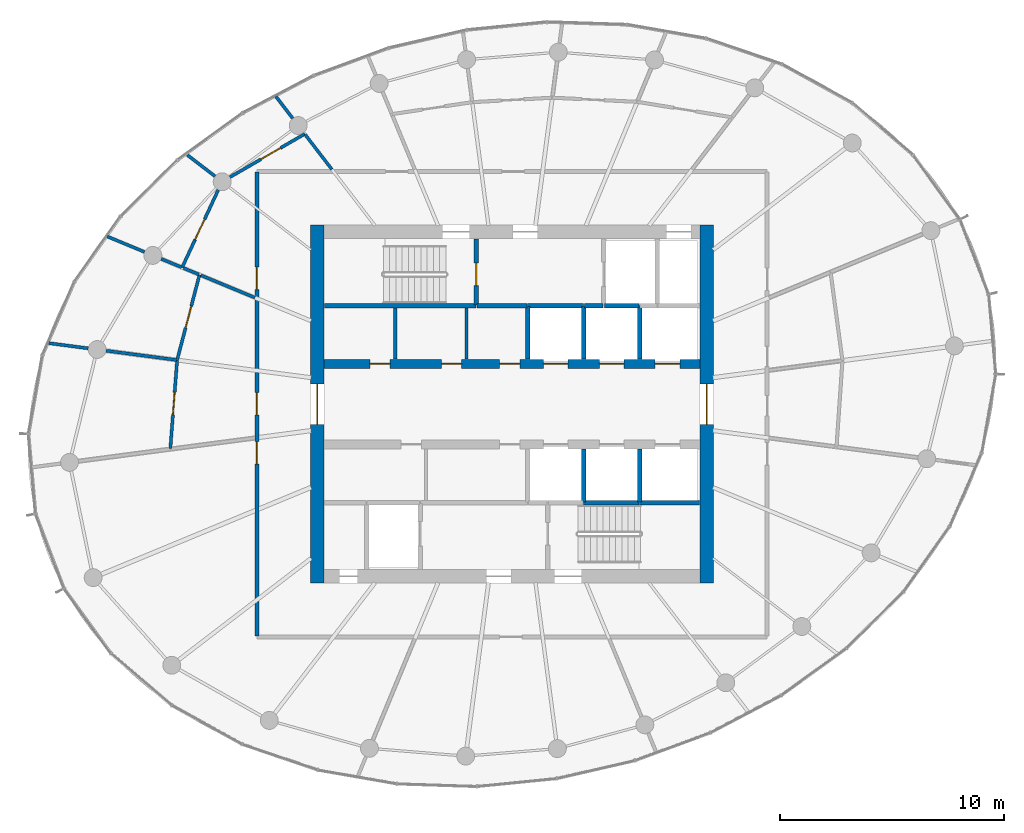
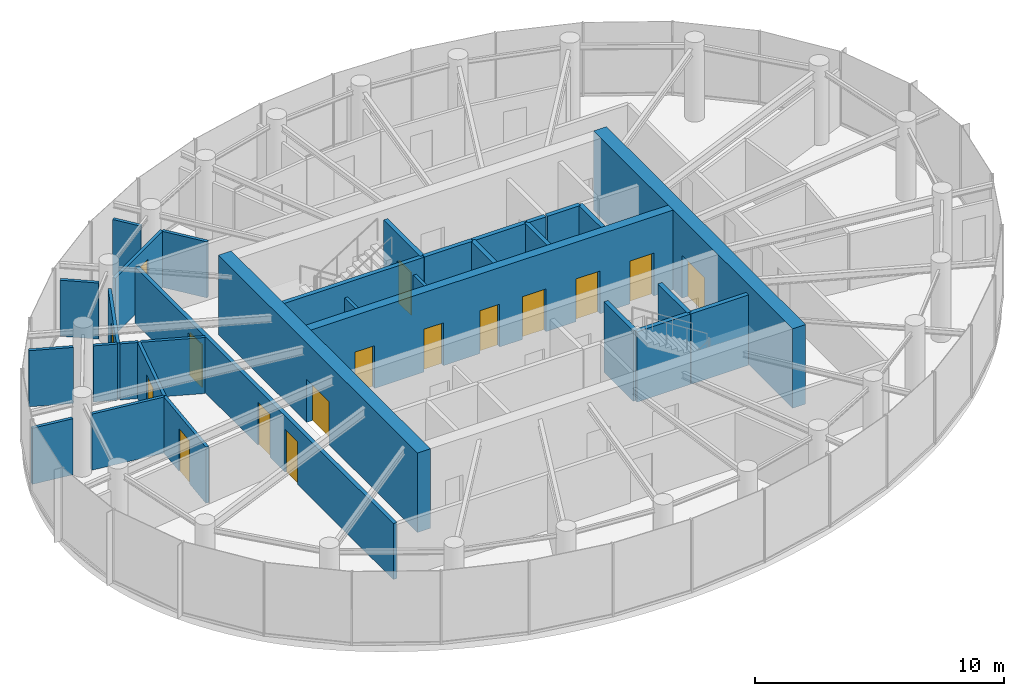
# One storey, part 9 of 13: 32 walls, 16 doors, 16 openings.
"""IFC4 building model written with IfcOpenShell, lengths in metres."""

from ifc_helpers import new_model, si_unit, direction, frame, frame_2d, origin, place, context, subcontext, project, spatial, rectangle, extrude, source, transform, mapped, material, layer, layer_set, type_object, element, fill, save


model = new_model("IFC4")

# Units and contexts
model_context = context("Model", 3, precision=1e-05, world=origin(), true_north=direction((0.0, 1.0)))
body_context = subcontext(model_context, "Body", "Model", "MODEL_VIEW")
ifc_project = project(units=[si_unit("LENGTHUNIT", "METRE"), si_unit("AREAUNIT", "SQUARE_METRE"), si_unit("VOLUMEUNIT", "CUBIC_METRE"), si_unit("PLANEANGLEUNIT", "RADIAN"), si_unit("MASSUNIT", "GRAM", prefix="KILO")], contexts=[model_context])

# Site, building, storey
site_placement = place(None, origin())
site = spatial("IfcSite", under=ifc_project, at=site_placement, CompositionType="ELEMENT")
building_placement = place(site_placement, origin())
building = spatial("IfcBuilding", under=site, at=building_placement, Name="Spindrift Exchange Tower", CompositionType="ELEMENT")
storey_placement = place(building_placement, frame((0.0, 0.0, 261.800048828125)))
storey = spatial("IfcBuildingStorey", under=building, at=storey_placement, Name="L64", CompositionType="ELEMENT", Elevation=261.800048828125)

# Wall, opening, door
ifc_material_1 = material(Name="Concrete 50 MPa", Category="concrete")
ifc_layer_1 = layer(ifc_material_1, 0.60009765625)
ifc_layer_set_1 = layer_set([ifc_layer_1], Name="RC Core Wall 600 Concrete 50 MPa")
wall_type_1 = type_object("IfcWallType", Name="RC Core Wall 600 Concrete 50 MPa", PredefinedType="SHEAR", material=ifc_layer_set_1)
wall_1_placement = place(storey_placement, frame((60.699951171875, 40.0, 0.0), z_axis=(0.0, 0.0, 1.0), x_axis=(0.0, 1.0, 0.0)))
wall_1 = element("IfcWall", 1, at=wall_1_placement, inside=storey, type_object=wall_type_1, Name="Core wall E L64", PredefinedType="SHEAR", context=body_context, shape_type="SweptSolid", body=[
    extrude(rectangle(XDim=16.0, YDim=0.60009765625, at=frame_2d((8.0, 0.0))), origin(), (0.0, 0.0, 1.0), 3.89990234375),
])
opening_1_placement = place(wall_1_placement, frame((7.10009765625, 0.0, 0.0)))
opening_1 = element("IfcOpeningElement", 2, at=opening_1_placement, cuts=wall_1, Name="Opening L64-D2", PredefinedType="OPENING", context=body_context, shape_type="SweptSolid", body=[
    extrude(rectangle(XDim=1.800048828125, YDim=2.10009765625, at=frame_2d((0.89990234375, 1.050048828125))), frame((0.0, 0.31005859375, 0.0), z_axis=(0.0, -1.0, 0.0), x_axis=(1.0, 0.0, 0.0)), (0.0, 0.0, 1.0), 0.6201171875),
])
ifc_material_2 = material(Name="Timber-core fire door", Category="wood")
door_type_1 = type_object("IfcDoorType", Name="DR-LOBBY-1800", OperationType="NOTDEFINED", PredefinedType="DOOR", material=ifc_material_2)
shared_shape_1 = source(origin(), body_context, "Body", "SweptSolid", [
    extrude(rectangle(XDim=1.800048828125, YDim=2.10009765625, at=frame_2d((0.89990234375, 1.050048828125))), frame((0.0, 0.02490234375, 0.0), z_axis=(0.0, -1.0, 0.0), x_axis=(1.0, 0.0, 0.0)), (0.0, 0.0, 1.0), 0.050048828125),
])
door_1_placement = place(opening_1_placement, origin())
door_1 = element("IfcDoor", 3, at=door_1_placement, inside=storey, type_object=door_type_1, Name="L64 Lobby door 2", OperationType="SINGLE_SWING_RIGHT", OverallHeight=2.10009765625, OverallWidth=1.800048828125, PredefinedType="DOOR", context=body_context, shape_type="MappedRepresentation", body=[
    mapped(shared_shape_1, transform((0.0, 0.0, 0.0), scale=1.0)),
])
fill(opening_1, door_1)

wall_2_placement = place(storey_placement, frame((43.300048828125, 56.0, 0.0), z_axis=(0.0, 0.0, 1.0), x_axis=(0.0, -1.0, 0.0)))
wall_2 = element("IfcWall", 4, at=wall_2_placement, inside=storey, type_object=wall_type_1, Name="Core wall W L64", PredefinedType="SHEAR", context=body_context, shape_type="SweptSolid", body=[
    extrude(rectangle(XDim=16.0, YDim=0.60009765625, at=frame_2d((8.0, 0.0))), origin(), (0.0, 0.0, 1.0), 3.89990234375),
])
opening_2_placement = place(wall_2_placement, frame((7.10009765625, 0.0, 0.0)))
opening_2 = element("IfcOpeningElement", 5, at=opening_2_placement, cuts=wall_2, Name="Opening L64-D1", PredefinedType="OPENING", context=body_context, shape_type="SweptSolid", body=[
    extrude(rectangle(XDim=1.800048828125, YDim=2.10009765625, at=frame_2d((0.89990234375, 1.050048828125))), frame((0.0, 0.31005859375, 0.0), z_axis=(0.0, -1.0, 0.0), x_axis=(1.0, 0.0, 0.0)), (0.0, 0.0, 1.0), 0.6201171875),
])
door_2_placement = place(opening_2_placement, origin())
door_2 = element("IfcDoor", 6, at=door_2_placement, inside=storey, type_object=door_type_1, Name="L64 Lobby door 1", OperationType="SINGLE_SWING_LEFT", OverallHeight=2.10009765625, OverallWidth=1.800048828125, PredefinedType="DOOR", context=body_context, shape_type="MappedRepresentation", body=[
    mapped(shared_shape_1, transform((0.0, 0.0, 0.0), scale=1.0)),
])
fill(opening_2, door_2)

# Wall, openings, doors
ifc_layer_2 = layer(ifc_material_1, 0.39990234375)
ifc_layer_set_2 = layer_set([ifc_layer_2], Name="RC Spine Wall 400 Concrete 50 MPa")
wall_type_2 = type_object("IfcWallType", Name="RC Spine Wall 400 Concrete 50 MPa", PredefinedType="SHEAR", material=ifc_layer_set_2)
wall_3_placement = place(storey_placement, frame((43.60009765625, 49.800048828125, 0.0), z_axis=(0.0, 0.0, 1.0), x_axis=(1.0, 0.0, 0.0)))
wall_3 = element("IfcWall", 7, at=wall_3_placement, inside=storey, type_object=wall_type_2, Name="Core spine wall N L64", PredefinedType="SHEAR", context=body_context, shape_type="SweptSolid", body=[
    extrude(rectangle(XDim=16.7998046875, YDim=0.39990234375, at=frame_2d((8.39990234375, 0.0))), origin(), (0.0, 0.0, 1.0), 3.89990234375),
])
opening_3_placement = place(wall_3_placement, frame((9.800048828125, 0.0, 0.0)))
opening_3 = element("IfcOpeningElement", 8, at=opening_3_placement, cuts=wall_3, Name="Opening L64-D3", PredefinedType="OPENING", context=body_context, shape_type="SweptSolid", body=[
    extrude(rectangle(XDim=1.10009765625, YDim=2.10009765625, at=frame_2d((0.550048828125, 1.050048828125))), frame((0.0, 0.2099609375, 0.0), z_axis=(0.0, -1.0, 0.0), x_axis=(1.0, 0.0, 0.0)), (0.0, 0.0, 1.0), 0.419921875),
])
opening_4_placement = place(wall_3_placement, frame((12.300048828125, 0.0, 0.0)))
opening_4 = element("IfcOpeningElement", 9, at=opening_4_placement, cuts=wall_3, Name="Opening L64-D4", PredefinedType="OPENING", context=body_context, shape_type="SweptSolid", body=[
    extrude(rectangle(XDim=1.10009765625, YDim=2.10009765625, at=frame_2d((0.550048828125, 1.050048828125))), frame((0.0, 0.2099609375, 0.0), z_axis=(0.0, -1.0, 0.0), x_axis=(1.0, 0.0, 0.0)), (0.0, 0.0, 1.0), 0.419921875),
])
opening_5_placement = place(wall_3_placement, frame((14.800048828125, 0.0, 0.0)))
opening_5 = element("IfcOpeningElement", 10, at=opening_5_placement, cuts=wall_3, Name="Opening L64-D5", PredefinedType="OPENING", context=body_context, shape_type="SweptSolid", body=[
    extrude(rectangle(XDim=1.10009765625, YDim=2.10009765625, at=frame_2d((0.550048828125, 1.050048828125))), frame((0.0, 0.2099609375, 0.0), z_axis=(0.0, -1.0, 0.0), x_axis=(1.0, 0.0, 0.0)), (0.0, 0.0, 1.0), 0.419921875),
])
opening_6_placement = place(wall_3_placement, frame((2.050048828125, 0.0, 0.0)))
opening_6 = element("IfcOpeningElement", 11, at=opening_6_placement, cuts=wall_3, Name="Opening L64-D38", PredefinedType="OPENING", context=body_context, shape_type="SweptSolid", body=[
    extrude(rectangle(XDim=0.89990234375, YDim=2.10009765625, at=frame_2d((0.449951171875, 1.050048828125))), frame((0.0, 0.2099609375, 0.0), z_axis=(0.0, -1.0, 0.0), x_axis=(1.0, 0.0, 0.0)), (0.0, 0.0, 1.0), 0.419921875),
])
opening_7_placement = place(wall_3_placement, frame((5.25, 0.0, 0.0)))
opening_7 = element("IfcOpeningElement", 12, at=opening_7_placement, cuts=wall_3, Name="Opening L64-D39", PredefinedType="OPENING", context=body_context, shape_type="SweptSolid", body=[
    extrude(rectangle(XDim=0.89990234375, YDim=2.10009765625, at=frame_2d((0.449951171875, 1.050048828125))), frame((0.0, 0.2099609375, 0.0), z_axis=(0.0, -1.0, 0.0), x_axis=(1.0, 0.0, 0.0)), (0.0, 0.0, 1.0), 0.419921875),
])
opening_8_placement = place(wall_3_placement, frame((7.85009765625, 0.0, 0.0)))
opening_8 = element("IfcOpeningElement", 13, at=opening_8_placement, cuts=wall_3, Name="Opening L64-D40", PredefinedType="OPENING", context=body_context, shape_type="SweptSolid", body=[
    extrude(rectangle(XDim=0.89990234375, YDim=2.10009765625, at=frame_2d((0.449951171875, 1.050048828125))), frame((0.0, 0.2099609375, 0.0), z_axis=(0.0, -1.0, 0.0), x_axis=(1.0, 0.0, 0.0)), (0.0, 0.0, 1.0), 0.419921875),
])
ifc_material_3 = material(Name="Stainless steel landing door", Category="steel")
door_type_2 = type_object("IfcDoorType", Name="DR-LANDING-1100-SL", OperationType="DOUBLE_DOOR_SLIDING", PredefinedType="USERDEFINED", material=ifc_material_3)
shared_shape_2 = source(origin(), body_context, "Body", "SweptSolid", [
    extrude(rectangle(XDim=1.10009765625, YDim=2.10009765625, at=frame_2d((0.550048828125, 1.050048828125))), frame((0.0, 0.02490234375, 0.0), z_axis=(0.0, -1.0, 0.0), x_axis=(1.0, 0.0, 0.0)), (0.0, 0.0, 1.0), 0.050048828125),
])
door_3_placement = place(opening_3_placement, origin())
door_3 = element("IfcDoor", 14, at=door_3_placement, inside=storey, type_object=door_type_2, Name="L64 Lift landing door 3", ObjectType="LANDING DOOR", OperationType="DOUBLE_DOOR_SLIDING", OverallHeight=2.10009765625, OverallWidth=1.10009765625, PredefinedType="USERDEFINED", context=body_context, shape_type="MappedRepresentation", body=[
    mapped(shared_shape_2, transform((0.0, 0.0, 0.0), scale=1.0)),
])
fill(opening_3, door_3)
door_4_placement = place(opening_4_placement, origin())
door_4 = element("IfcDoor", 15, at=door_4_placement, inside=storey, type_object=door_type_2, Name="L64 Lift landing door 4", ObjectType="LANDING DOOR", OperationType="DOUBLE_DOOR_SLIDING", OverallHeight=2.10009765625, OverallWidth=1.10009765625, PredefinedType="USERDEFINED", context=body_context, shape_type="MappedRepresentation", body=[
    mapped(shared_shape_2, transform((0.0, 0.0, 0.0), scale=1.0)),
])
fill(opening_4, door_4)
door_5_placement = place(opening_5_placement, origin())
door_5 = element("IfcDoor", 16, at=door_5_placement, inside=storey, type_object=door_type_2, Name="L64 Lift landing door 5", ObjectType="LANDING DOOR", OperationType="DOUBLE_DOOR_SLIDING", OverallHeight=2.10009765625, OverallWidth=1.10009765625, PredefinedType="USERDEFINED", context=body_context, shape_type="MappedRepresentation", body=[
    mapped(shared_shape_2, transform((0.0, 0.0, 0.0), scale=1.0)),
])
fill(opening_5, door_5)
ifc_material_4 = material(Name="Steel access door", Category="steel")
door_type_3 = type_object("IfcDoorType", Name="DR-RISER-900", OperationType="NOTDEFINED", PredefinedType="DOOR", material=ifc_material_4)
shared_shape_3 = source(origin(), body_context, "Body", "SweptSolid", [
    extrude(rectangle(XDim=0.89990234375, YDim=2.10009765625, at=frame_2d((0.449951171875, 1.050048828125))), frame((0.0, 0.02490234375, 0.0), z_axis=(0.0, -1.0, 0.0), x_axis=(1.0, 0.0, 0.0)), (0.0, 0.0, 1.0), 0.050048828125),
])
door_6_placement = place(opening_6_placement, origin())
door_6 = element("IfcDoor", 17, at=door_6_placement, inside=storey, type_object=door_type_3, Name="L64 Riser door 38", OperationType="SINGLE_SWING_LEFT", OverallHeight=2.10009765625, OverallWidth=0.89990234375, PredefinedType="DOOR", context=body_context, shape_type="MappedRepresentation", body=[
    mapped(shared_shape_3, transform((0.0, 0.0, 0.0), scale=1.0)),
])
fill(opening_6, door_6)
door_7_placement = place(opening_7_placement, origin())
door_7 = element("IfcDoor", 18, at=door_7_placement, inside=storey, type_object=door_type_3, Name="L64 Riser door 39", OperationType="SINGLE_SWING_RIGHT", OverallHeight=2.10009765625, OverallWidth=0.89990234375, PredefinedType="DOOR", context=body_context, shape_type="MappedRepresentation", body=[
    mapped(shared_shape_3, transform((0.0, 0.0, 0.0), scale=1.0)),
])
fill(opening_7, door_7)
door_8_placement = place(opening_8_placement, origin())
door_8 = element("IfcDoor", 19, at=door_8_placement, inside=storey, type_object=door_type_3, Name="L64 Riser door 40", OperationType="SINGLE_SWING_LEFT", OverallHeight=2.10009765625, OverallWidth=0.89990234375, PredefinedType="DOOR", context=body_context, shape_type="MappedRepresentation", body=[
    mapped(shared_shape_3, transform((0.0, 0.0, 0.0), scale=1.0)),
])
fill(opening_8, door_8)

ifc_material_5 = material(Name="Fire-rated plasterboard partition", Category="gypsum")
ifc_layer_3 = layer(ifc_material_5, 0.179931640625)
ifc_layer_set_3 = layer_set([ifc_layer_3], Name="W-CORR-180")
wall_type_3 = type_object("IfcWallType", Name="W-CORR-180", PredefinedType="PARTITIONING", material=ifc_layer_set_3)
wall_4_placement = place(storey_placement, frame((40.60009765625, 37.6298828125, 0.0), z_axis=(0.0, 0.0, 1.0), x_axis=(0.0, 1.0, 0.0)))
wall_4 = element("IfcWall", 20, at=wall_4_placement, inside=storey, type_object=wall_type_3, Name="L64 Partition wall 30", PredefinedType="PARTITIONING", context=body_context, shape_type="SweptSolid", body=[
    extrude(rectangle(XDim=20.740234375, YDim=0.179931640625, at=frame_2d((10.3701171875, 0.0))), origin(), (0.0, 0.0, 1.0), 2.75),
])
opening_9_placement = place(wall_4_placement, frame((15.489990234375, 0.0, 0.0)))
opening_9 = element("IfcOpeningElement", 21, at=opening_9_placement, cuts=wall_4, Name="Opening L64-D29", PredefinedType="OPENING", context=body_context, shape_type="SweptSolid", body=[
    extrude(rectangle(XDim=1.0, YDim=2.10009765625, at=frame_2d((0.5, 1.050048828125))), frame((0.0, 0.099853515625, 0.0), z_axis=(0.0, -1.0, 0.0), x_axis=(1.0, 0.0, 0.0)), (0.0, 0.0, 1.0), 0.199951171875),
])
opening_10_placement = place(wall_4_placement, frame((9.889892578125, 0.0, 0.0)))
opening_10 = element("IfcOpeningElement", 22, at=opening_10_placement, cuts=wall_4, Name="Opening L64-D32", PredefinedType="OPENING", context=body_context, shape_type="SweptSolid", body=[
    extrude(rectangle(XDim=1.0, YDim=2.10009765625, at=frame_2d((0.5, 1.050048828125))), frame((0.0, 0.099853515625, 0.0), z_axis=(0.0, -1.0, 0.0), x_axis=(1.0, 0.0, 0.0)), (0.0, 0.0, 1.0), 0.199951171875),
])
opening_11_placement = place(wall_4_placement, frame((7.68994140625, 0.0, 0.0)))
opening_11 = element("IfcOpeningElement", 23, at=opening_11_placement, cuts=wall_4, Name="Opening L64-D35", PredefinedType="OPENING", context=body_context, shape_type="SweptSolid", body=[
    extrude(rectangle(XDim=1.0, YDim=2.10009765625, at=frame_2d((0.5, 1.050048828125))), frame((0.0, 0.099853515625, 0.0), z_axis=(0.0, -1.0, 0.0), x_axis=(1.0, 0.0, 0.0)), (0.0, 0.0, 1.0), 0.199951171875),
])
door_type_4 = type_object("IfcDoorType", Name="DR-ROOM-1000", OperationType="NOTDEFINED", PredefinedType="DOOR", material=ifc_material_2)
shared_shape_4 = source(origin(), body_context, "Body", "SweptSolid", [
    extrude(rectangle(XDim=1.0, YDim=2.10009765625, at=frame_2d((0.5, 1.050048828125))), frame((0.0, 0.02490234375, 0.0), z_axis=(0.0, -1.0, 0.0), x_axis=(1.0, 0.0, 0.0)), (0.0, 0.0, 1.0), 0.050048828125),
])
door_9_placement = place(opening_9_placement, origin())
door_9 = element("IfcDoor", 24, at=door_9_placement, inside=storey, type_object=door_type_4, Name="L64 Door 29", OperationType="SINGLE_SWING_RIGHT", OverallHeight=2.10009765625, OverallWidth=1.0, PredefinedType="DOOR", context=body_context, shape_type="MappedRepresentation", body=[
    mapped(shared_shape_4, transform((0.0, 0.0, 0.0), scale=1.0)),
])
fill(opening_9, door_9)
door_10_placement = place(opening_10_placement, origin())
door_10 = element("IfcDoor", 25, at=door_10_placement, inside=storey, type_object=door_type_4, Name="L64 Door 32", OperationType="SINGLE_SWING_LEFT", OverallHeight=2.10009765625, OverallWidth=1.0, PredefinedType="DOOR", context=body_context, shape_type="MappedRepresentation", body=[
    mapped(shared_shape_4, transform((0.0, 0.0, 0.0), scale=1.0)),
])
fill(opening_10, door_10)
door_11_placement = place(opening_11_placement, origin())
door_11 = element("IfcDoor", 26, at=door_11_placement, inside=storey, type_object=door_type_4, Name="L64 Door 35", OperationType="SINGLE_SWING_RIGHT", OverallHeight=2.10009765625, OverallWidth=1.0, PredefinedType="DOOR", context=body_context, shape_type="MappedRepresentation", body=[
    mapped(shared_shape_4, transform((0.0, 0.0, 0.0), scale=1.0)),
])
fill(opening_11, door_11)

# Wall, opening, door
ifc_layer_4 = layer(ifc_material_5, 0.139892578125)
ifc_layer_set_4 = layer_set([ifc_layer_4], Name="W-PART-140")
wall_type_4 = type_object("IfcWallType", Name="W-PART-140", PredefinedType="PARTITIONING", material=ifc_layer_set_4)
wall_5_placement = place(storey_placement, frame((36.73095703125, 46.019287109375, 0.0), z_axis=(0.0, 0.0, 1.0), x_axis=(0.07621122266, 0.997091695653, 0.0)))
wall_5 = element("IfcWall", 27, at=wall_5_placement, inside=storey, type_object=wall_type_4, Name="L64 Partition wall 35", PredefinedType="PARTITIONING", context=body_context, shape_type="SweptSolid", body=[
    extrude(rectangle(XDim=3.962646484375, YDim=0.139892578125, at=frame_2d((1.9814453125, 0.0))), origin(), (0.0, 0.0, 1.0), 2.75),
])
opening_12_placement = place(wall_5_placement, frame((1.5126953125, 0.0, 0.0)))
opening_12 = element("IfcOpeningElement", 28, at=opening_12_placement, cuts=wall_5, Name="Opening L64-D34", PredefinedType="OPENING", context=body_context, shape_type="SweptSolid", body=[
    extrude(rectangle(XDim=1.0, YDim=2.10009765625, at=frame_2d((0.5, 1.050048828125))), frame((0.0, 0.079833984375, 0.0), z_axis=(0.0, -1.0, 0.0), x_axis=(1.0, 0.0, 0.0)), (0.0, 0.0, 1.0), 0.159912109375),
])
door_12_placement = place(opening_12_placement, origin())
door_12 = element("IfcDoor", 29, at=door_12_placement, inside=storey, type_object=door_type_4, Name="L64 Door 34", OperationType="SINGLE_SWING_LEFT", OverallHeight=2.10009765625, OverallWidth=1.0, PredefinedType="DOOR", context=body_context, shape_type="MappedRepresentation", body=[
    mapped(shared_shape_4, transform((0.0, 0.0, 0.0), scale=1.0)),
])
fill(opening_12, door_12)

wall_6_placement = place(storey_placement, frame((37.040771484375, 49.99951171875, 0.0), z_axis=(0.0, 0.0, 1.0), x_axis=(0.254158567997, 0.967162562506, 0.0)))
wall_6 = element("IfcWall", 30, at=wall_6_placement, inside=storey, type_object=wall_type_4, Name="L64 Partition wall 37", PredefinedType="PARTITIONING", context=body_context, shape_type="SweptSolid", body=[
    extrude(rectangle(XDim=3.913330078125, YDim=0.139892578125, at=frame_2d((1.95654296875, 0.0))), origin(), (0.0, 0.0, 1.0), 2.75),
])
opening_13_placement = place(wall_6_placement, frame((1.46337890625, 0.0, 0.0)))
opening_13 = element("IfcOpeningElement", 31, at=opening_13_placement, cuts=wall_6, Name="Opening L64-D33", PredefinedType="OPENING", context=body_context, shape_type="SweptSolid", body=[
    extrude(rectangle(XDim=1.0, YDim=2.10009765625, at=frame_2d((0.5, 1.050048828125))), frame((0.0, 0.079833984375, 0.0), z_axis=(0.0, -1.0, 0.0), x_axis=(1.0, 0.0, 0.0)), (0.0, 0.0, 1.0), 0.159912109375),
])
door_13_placement = place(opening_13_placement, origin())
door_13 = element("IfcDoor", 32, at=door_13_placement, inside=storey, type_object=door_type_4, Name="L64 Door 33", OperationType="SINGLE_SWING_RIGHT", OverallHeight=2.10009765625, OverallWidth=1.0, PredefinedType="DOOR", context=body_context, shape_type="MappedRepresentation", body=[
    mapped(shared_shape_4, transform((0.0, 0.0, 0.0), scale=1.0)),
])
fill(opening_13, door_13)

wall_7_placement = place(storey_placement, frame((39.395263671875, 58.14501953125, 0.0), z_axis=(0.0, 0.0, 1.0), x_axis=(0.865963153708, 0.500107804798, 0.0)))
wall_7 = element("IfcWall", 33, at=wall_7_placement, inside=storey, type_object=wall_type_4, Name="L64 Partition wall 40", PredefinedType="PARTITIONING", context=body_context, shape_type="SweptSolid", body=[
    extrude(rectangle(XDim=3.857177734375, YDim=0.139892578125, at=frame_2d((1.9287109375, 0.0))), origin(), (0.0, 0.0, 1.0), 2.75),
])
opening_14_placement = place(wall_7_placement, frame((1.607177734375, 0.0, 0.0)))
opening_14 = element("IfcOpeningElement", 34, at=opening_14_placement, cuts=wall_7, Name="Opening L64-D30", PredefinedType="OPENING", context=body_context, shape_type="SweptSolid", body=[
    extrude(rectangle(XDim=1.0, YDim=2.10009765625, at=frame_2d((0.5, 1.050048828125))), frame((0.0, 0.079833984375, 0.0), z_axis=(0.0, -1.0, 0.0), x_axis=(1.0, 0.0, 0.0)), (0.0, 0.0, 1.0), 0.159912109375),
])
door_14_placement = place(opening_14_placement, origin())
door_14 = element("IfcDoor", 35, at=door_14_placement, inside=storey, type_object=door_type_4, Name="L64 Door 30", OperationType="SINGLE_SWING_LEFT", OverallHeight=2.10009765625, OverallWidth=1.0, PredefinedType="DOOR", context=body_context, shape_type="MappedRepresentation", body=[
    mapped(shared_shape_4, transform((0.0, 0.0, 0.0), scale=1.0)),
])
fill(opening_14, door_14)

wall_8_placement = place(storey_placement, frame((37.255859375, 54.107177734375, 0.0), z_axis=(0.0, 0.0, 1.0), x_axis=(0.422487132978, 0.906368921835, 0.0)))
wall_8 = element("IfcWall", 36, at=wall_8_placement, inside=storey, type_object=wall_type_4, Name="L64 Partition wall 42", PredefinedType="PARTITIONING", context=body_context, shape_type="SweptSolid", body=[
    extrude(rectangle(XDim=3.825439453125, YDim=0.139892578125, at=frame_2d((1.91259765625, 0.0))), origin(), (0.0, 0.0, 1.0), 2.75),
])
opening_15_placement = place(wall_8_placement, frame((1.37548828125, 0.0, 0.0)))
opening_15 = element("IfcOpeningElement", 37, at=opening_15_placement, cuts=wall_8, Name="Opening L64-D31", PredefinedType="OPENING", context=body_context, shape_type="SweptSolid", body=[
    extrude(rectangle(XDim=1.0, YDim=2.10009765625, at=frame_2d((0.5, 1.050048828125))), frame((0.0, 0.079833984375, 0.0), z_axis=(0.0, -1.0, 0.0), x_axis=(1.0, 0.0, 0.0)), (0.0, 0.0, 1.0), 0.159912109375),
])
door_15_placement = place(opening_15_placement, origin())
door_15 = element("IfcDoor", 38, at=door_15_placement, inside=storey, type_object=door_type_4, Name="L64 Door 31", OperationType="SINGLE_SWING_RIGHT", OverallHeight=2.10009765625, OverallWidth=1.0, PredefinedType="DOOR", context=body_context, shape_type="MappedRepresentation", body=[
    mapped(shared_shape_4, transform((0.0, 0.0, 0.0), scale=1.0)),
])
fill(opening_15, door_15)

# Walls
wall_9_placement = place(storey_placement, frame((37.00341796875, 49.974365234375, 0.0), z_axis=(0.0, 0.0, 1.0), x_axis=(-0.991449837831, 0.130488386705, 0.0)))
element("IfcWall", 39, at=wall_9_placement, inside=storey, type_object=wall_type_4, Name="L64 Partition wall 47", PredefinedType="PARTITIONING", context=body_context, shape_type="SweptSolid", body=[
    extrude(rectangle(XDim=3.16943359375, YDim=0.139892578125, at=frame_2d((1.584716796875, 0.0))), origin(), (0.0, 0.0, 1.0), 2.75),
])
wall_10_placement = place(storey_placement, frame((40.510009765625, 52.75927734375, 0.0), z_axis=(0.0, 0.0, 1.0), x_axis=(-0.923875350489, 0.382693528503, 0.0)))
element("IfcWall", 40, at=wall_10_placement, inside=storey, type_object=wall_type_4, Name="L64 Partition wall 51", PredefinedType="PARTITIONING", context=body_context, shape_type="SweptSolid", body=[
    extrude(rectangle(XDim=2.60791015625, YDim=0.139892578125, at=frame_2d((1.303955078125, 0.0))), origin(), (0.0, 0.0, 1.0), 2.75),
])
for number, where, z_axis, x_axis, name in (
    (41, (46.784912109375, 50.010009765625, 0.0), (0.0, 0.0, 1.0), (0.0, 1.0, 0.0), "L64 Partition wall 53"),
    (42, (49.969970703125, 50.010009765625, 0.0), (0.0, 0.0, 1.0), (0.0, 1.0, 0.0), "L64 Partition wall 55"),
):
    element("IfcWall", number, at=place(storey_placement, frame(where, z_axis=z_axis, x_axis=x_axis)), inside=storey, type_object=wall_type_4, Name=name, PredefinedType="PARTITIONING", context=body_context, shape_type="SweptSolid", body=[
        extrude(rectangle(XDim=2.2900390625, YDim=0.139892578125, at=frame_2d((1.14501953125, 0.0))), origin(), (0.0, 0.0, 1.0), 2.75),
    ])
wall_11_placement = place(storey_placement, frame((43.95068359375, 58.489990234375, 0.0), z_axis=(0.0, 0.0, 1.0), x_axis=(-0.608744279495, 0.793366499281, 0.0)))
element("IfcWall", 43, at=wall_11_placement, inside=storey, type_object=wall_type_4, Name="L64 Partition wall 56", PredefinedType="PARTITIONING", context=body_context, shape_type="SweptSolid", body=[
    extrude(rectangle(XDim=1.96630859375, YDim=0.139892578125, at=frame_2d((0.983154296875, 0.0))), origin(), (0.0, 0.0, 1.0), 2.75),
])
wall_12_placement = place(storey_placement, frame((35.57421875, 54.8037109375, 0.0), z_axis=(0.0, 0.0, 1.0), x_axis=(-0.923849795108, 0.382755216919, 0.0)))
element("IfcWall", 44, at=wall_12_placement, inside=storey, type_object=wall_type_4, Name="L64 Partition wall 57", PredefinedType="PARTITIONING", context=body_context, shape_type="SweptSolid", body=[
    extrude(rectangle(XDim=1.79931640625, YDim=0.139892578125, at=frame_2d((0.899658203125, 0.0))), origin(), (0.0, 0.0, 1.0), 2.75),
])
wall_13_placement = place(storey_placement, frame((33.058837890625, 50.49365234375, 0.0), z_axis=(0.0, 0.0, 1.0), x_axis=(-0.991453359692, 0.13046162484, 0.0)))
element("IfcWall", 45, at=wall_13_placement, inside=storey, type_object=wall_type_4, Name="L64 Partition wall 58", PredefinedType="PARTITIONING", context=body_context, shape_type="SweptSolid", body=[
    extrude(rectangle(XDim=1.77587890625, YDim=0.139892578125, at=frame_2d((0.887939453125, 0.0))), origin(), (0.0, 0.0, 1.0), 2.75),
])
wall_14_placement = place(storey_placement, frame((38.72607421875, 58.185546875, 0.0), z_axis=(0.0, 0.0, 1.0), x_axis=(-0.79342518691, 0.60866778523, 0.0)))
element("IfcWall", 46, at=wall_14_placement, inside=storey, type_object=wall_type_4, Name="L64 Partition wall 62", PredefinedType="PARTITIONING", context=body_context, shape_type="SweptSolid", body=[
    extrude(rectangle(XDim=1.56201171875, YDim=0.139892578125, at=frame_2d((0.781005859375, 0.0))), origin(), (0.0, 0.0, 1.0), 2.75),
])
wall_15_placement = place(storey_placement, frame((42.197998046875, 60.774169921875, 0.0), z_axis=(0.0, 0.0, 1.0), x_axis=(-0.608748904101, 0.793362950834, 0.0)))
element("IfcWall", 47, at=wall_15_placement, inside=storey, type_object=wall_type_4, Name="L64 Partition wall 66", PredefinedType="PARTITIONING", context=body_context, shape_type="SweptSolid", body=[
    extrude(rectangle(XDim=1.227294921875, YDim=0.139892578125, at=frame_2d((0.61376953125, 0.0))), origin(), (0.0, 0.0, 1.0), 2.75),
])
wall_16_placement = place(storey_placement, frame((37.228271484375, 54.11865234375, 0.0), z_axis=(0.0, 0.0, 1.0), x_axis=(-0.92381947236, 0.382828398225, 0.0)))
element("IfcWall", 48, at=wall_16_placement, inside=storey, type_object=wall_type_4, Name="L64 Partition wall 68", PredefinedType="PARTITIONING", context=body_context, shape_type="SweptSolid", body=[
    extrude(rectangle(XDim=0.980224609375, YDim=0.139892578125, at=frame_2d((0.490234375, 0.0))), origin(), (0.0, 0.0, 1.0), 2.75),
])
wall_17_placement = place(storey_placement, frame((38.007568359375, 53.7958984375, 0.0), z_axis=(0.0, 0.0, 1.0), x_axis=(-0.923900752306, 0.382632199231, 0.0)))
element("IfcWall", 49, at=wall_17_placement, inside=storey, type_object=wall_type_4, Name="L64 Partition wall 76", PredefinedType="PARTITIONING", context=body_context, shape_type="SweptSolid", body=[
    extrude(rectangle(XDim=0.743408203125, YDim=0.139892578125, at=frame_2d((0.37158203125, 0.0))), origin(), (0.0, 0.0, 1.0), 2.75),
])
ifc_material_6 = material(Name="Concrete 40 MPa", Category="concrete")
ifc_layer_5 = layer(ifc_material_6, 0.199951171875)
ifc_layer_set_5 = layer_set([ifc_layer_5], Name="W-SHAFT-200")
wall_type_5 = type_object("IfcWallType", Name="W-SHAFT-200", PredefinedType="SOLIDWALL", material=ifc_layer_set_5)
wall_18_placement = place(storey_placement, frame((55.199951171875, 52.39990234375, 0.0), z_axis=(0.0, 0.0, 1.0), x_axis=(-1.0, 0.0, 0.0)))
element("IfcWall", 50, at=wall_18_placement, inside=storey, type_object=wall_type_5, Name="L64 Shaft wall 10", PredefinedType="SOLIDWALL", context=body_context, shape_type="SweptSolid", body=[
    extrude(rectangle(XDim=2.5, YDim=0.199951171875, at=frame_2d((1.25, 0.0))), origin(), (0.0, 0.0, 1.0), 3.449951171875),
])
for number, where, z_axis, x_axis, name in (
    (51, (52.699951171875, 52.3701171875, 0.0), (0.0, 0.0, 1.0), (0.0, -1.0, 0.0), "L64 Shaft wall 14"),
    (52, (55.199951171875, 50.010009765625, 0.0), (0.0, 0.0, 1.0), (0.0, 1.0, 0.0), "L64 Shaft wall 16"),
):
    element("IfcWall", number, at=place(storey_placement, frame(where, z_axis=z_axis, x_axis=x_axis)), inside=storey, type_object=wall_type_5, Name=name, PredefinedType="SOLIDWALL", context=body_context, shape_type="SweptSolid", body=[
        extrude(rectangle(XDim=2.360107421875, YDim=0.199951171875, at=frame_2d((1.18017578125, 0.0))), origin(), (0.0, 0.0, 1.0), 3.449951171875),
    ])
wall_19_placement = place(storey_placement, frame((57.699951171875, 50.010009765625, 0.0), z_axis=(0.0, 0.0, 1.0), x_axis=(0.0, 1.0, 0.0)))
element("IfcWall", 53, at=wall_19_placement, inside=storey, type_object=wall_type_5, Name="L64 Shaft wall 18", PredefinedType="SOLIDWALL", context=body_context, shape_type="SweptSolid", body=[
    extrude(rectangle(XDim=2.389892578125, YDim=0.199951171875, at=frame_2d((1.19482421875, 0.0))), origin(), (0.0, 0.0, 1.0), 3.449951171875),
])
wall_20_placement = place(storey_placement, frame((57.669921875, 52.39990234375, 0.0), z_axis=(0.0, 0.0, 1.0), x_axis=(-1.0, 0.0, 0.0)))
element("IfcWall", 54, at=wall_20_placement, inside=storey, type_object=wall_type_5, Name="L64 Shaft wall 23", PredefinedType="SOLIDWALL", context=body_context, shape_type="SweptSolid", body=[
    extrude(rectangle(XDim=1.5400390625, YDim=0.199951171875, at=frame_2d((0.77001953125, 0.0))), origin(), (0.0, 0.0, 1.0), 3.449951171875),
])
wall_21_placement = place(storey_placement, frame((56.070068359375, 52.39990234375, 0.0), z_axis=(0.0, 0.0, 1.0), x_axis=(-1.0, 0.0, 0.0)))
element("IfcWall", 55, at=wall_21_placement, inside=storey, type_object=wall_type_5, Name="L64 Shaft wall 25", PredefinedType="SOLIDWALL", context=body_context, shape_type="SweptSolid", body=[
    extrude(rectangle(XDim=0.840087890625, YDim=0.199951171875, at=frame_2d((0.419921875, 0.0))), origin(), (0.0, 0.0, 1.0), 3.449951171875),
])
ifc_layer_6 = layer(ifc_material_6, 0.199951171875)
ifc_layer_set_6 = layer_set([ifc_layer_6], Name="W-SHAFT-200-LB")
wall_type_6 = type_object("IfcWallType", Name="W-SHAFT-200-LB", PredefinedType="SOLIDWALL", material=ifc_layer_set_6)
wall_22_placement = place(storey_placement, frame((43.6201171875, 52.39990234375, 0.0), z_axis=(0.0, 0.0, 1.0), x_axis=(1.0, 0.0, 0.0)))
element("IfcWall", 56, at=wall_22_placement, inside=storey, type_object=wall_type_6, Name="L64 Shaft wall 1", PredefinedType="SOLIDWALL", context=body_context, shape_type="SweptSolid", body=[
    extrude(rectangle(XDim=6.77978515625, YDim=0.199951171875, at=frame_2d((3.389892578125, 0.0))), origin(), (0.0, 0.0, 1.0), 3.449951171875),
])

# Wall, opening, door
wall_23_placement = place(storey_placement, frame((50.39990234375, 52.429931640625, 0.0), z_axis=(0.0, 0.0, 1.0), x_axis=(0.0, 1.0, 0.0)))
wall_23 = element("IfcWall", 57, at=wall_23_placement, inside=storey, type_object=wall_type_6, Name="L64 Shaft wall 5", PredefinedType="SOLIDWALL", context=body_context, shape_type="SweptSolid", body=[
    extrude(rectangle(XDim=2.949951171875, YDim=0.199951171875, at=frame_2d((1.47509765625, 0.0))), origin(), (0.0, 0.0, 1.0), 3.449951171875),
])
opening_16_placement = place(wall_23_placement, frame((0.8701171875, 0.0, 0.0)))
opening_16 = element("IfcOpeningElement", 58, at=opening_16_placement, cuts=wall_23, Name="Opening L64-D13", PredefinedType="OPENING", context=body_context, shape_type="SweptSolid", body=[
    extrude(rectangle(XDim=1.0, YDim=2.10009765625, at=frame_2d((0.5, 1.050048828125))), frame((0.0, 0.10986328125, 0.0), z_axis=(0.0, -1.0, 0.0), x_axis=(1.0, 0.0, 0.0)), (0.0, 0.0, 1.0), 0.219970703125),
])
ifc_material_7 = material(Name="Steel fire door", Category="steel")
door_type_5 = type_object("IfcDoorType", Name="DR-STAIR-1000", OperationType="NOTDEFINED", PredefinedType="DOOR", material=ifc_material_7)
shared_shape_5 = source(origin(), body_context, "Body", "SweptSolid", [
    extrude(rectangle(XDim=1.0, YDim=2.10009765625, at=frame_2d((0.5, 1.050048828125))), frame((0.0, 0.02490234375, 0.0), z_axis=(0.0, -1.0, 0.0), x_axis=(1.0, 0.0, 0.0)), (0.0, 0.0, 1.0), 0.050048828125),
])
door_16_placement = place(opening_16_placement, origin())
door_16 = element("IfcDoor", 59, at=door_16_placement, inside=storey, type_object=door_type_5, Name="L64 Stair door 13", OperationType="SINGLE_SWING_RIGHT", OverallHeight=2.10009765625, OverallWidth=1.0, PredefinedType="DOOR", context=body_context, shape_type="MappedRepresentation", body=[
    mapped(shared_shape_5, transform((0.0, 0.0, 0.0), scale=1.0)),
])
fill(opening_16, door_16)

# Walls
wall_24_placement = place(storey_placement, frame((57.699951171875, 43.60009765625, 0.0), z_axis=(0.0, 0.0, 1.0), x_axis=(1.0, 0.0, 0.0)))
element("IfcWall", 60, at=wall_24_placement, inside=storey, type_object=wall_type_6, Name="L64 Shaft wall 9", PredefinedType="SOLIDWALL", context=body_context, shape_type="SweptSolid", body=[
    extrude(rectangle(XDim=2.679931640625, YDim=0.199951171875, at=frame_2d((1.33984375, 0.0))), origin(), (0.0, 0.0, 1.0), 3.449951171875),
])
wall_25_placement = place(storey_placement, frame((55.199951171875, 43.60009765625, 0.0), z_axis=(0.0, 0.0, 1.0), x_axis=(1.0, 0.0, 0.0)))
element("IfcWall", 61, at=wall_25_placement, inside=storey, type_object=wall_type_6, Name="L64 Shaft wall 11", PredefinedType="SOLIDWALL", context=body_context, shape_type="SweptSolid", body=[
    extrude(rectangle(XDim=2.469970703125, YDim=0.199951171875, at=frame_2d((1.23486328125, 0.0))), origin(), (0.0, 0.0, 1.0), 3.449951171875),
])
for number, where, z_axis, x_axis, name in (
    (62, (55.199951171875, 43.6298828125, 0.0), (0.0, 0.0, 1.0), (0.0, 1.0, 0.0), "L64 Shaft wall 15"),
    (63, (57.699951171875, 43.6298828125, 0.0), (0.0, 0.0, 1.0), (0.0, 1.0, 0.0), "L64 Shaft wall 17"),
):
    element("IfcWall", number, at=place(storey_placement, frame(where, z_axis=z_axis, x_axis=x_axis)), inside=storey, type_object=wall_type_6, Name=name, PredefinedType="SOLIDWALL", context=body_context, shape_type="SweptSolid", body=[
        extrude(rectangle(XDim=2.360107421875, YDim=0.199951171875, at=frame_2d((1.18017578125, 0.0))), origin(), (0.0, 0.0, 1.0), 3.449951171875),
    ])
wall_26_placement = place(storey_placement, frame((50.429931640625, 52.39990234375, 0.0), z_axis=(0.0, 0.0, 1.0), x_axis=(1.0, 0.0, 0.0)))
element("IfcWall", 64, at=wall_26_placement, inside=storey, type_object=wall_type_6, Name="L64 Shaft wall 19", PredefinedType="SOLIDWALL", context=body_context, shape_type="SweptSolid", body=[
    extrude(rectangle(XDim=2.239990234375, YDim=0.199951171875, at=frame_2d((1.1201171875, 0.0))), origin(), (0.0, 0.0, 1.0), 3.449951171875),
])

save(model, "model.ifc")
